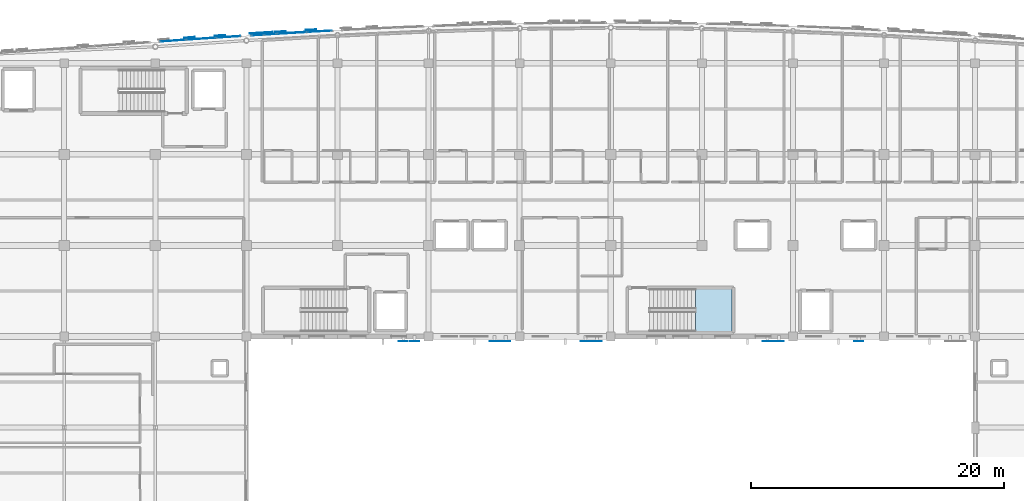
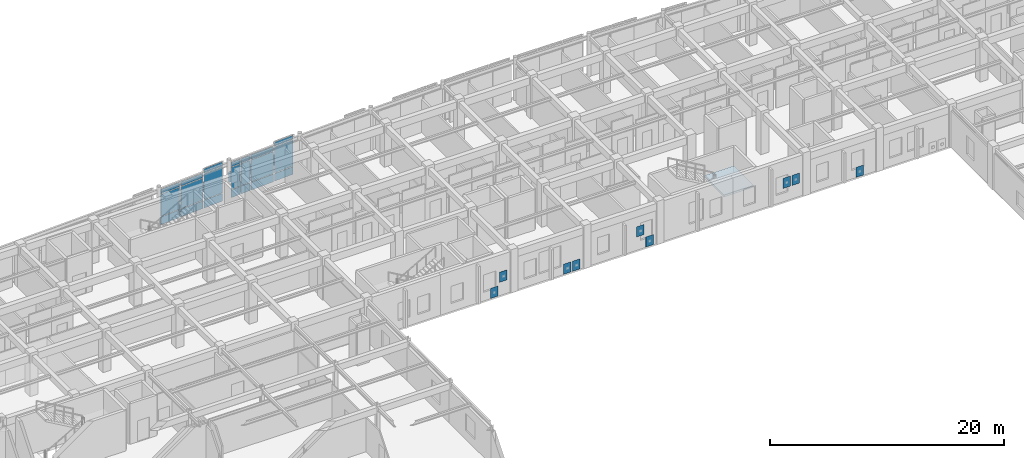
# One storey, part 64 of 106: 36 plates, 1 slab, 7 elements without a shape of their own.
"""IFC4 building model written with IfcOpenShell, lengths in metres."""

from ifc_helpers import new_model, si_unit, direction, frame, origin, origin_2d, place, context, subcontext, project, spatial, polyline, rectangle, outline, extrude, material, layer, layer_set, type_object, element, aggregate, save


model = new_model("IFC4")

# Units and contexts
model_context = context("Model", 3, precision=1e-05, world=origin(), true_north=direction((0.0, 1.0)))
body_context = subcontext(model_context, "Body", "Model", "MODEL_VIEW")
ifc_project = project(units=[si_unit("LENGTHUNIT", "METRE"), si_unit("AREAUNIT", "SQUARE_METRE"), si_unit("VOLUMEUNIT", "CUBIC_METRE"), si_unit("PLANEANGLEUNIT", "RADIAN"), si_unit("MASSUNIT", "GRAM", prefix="KILO")], contexts=[model_context])

# Site, building, storey
site_placement = place(None, origin())
site = spatial("IfcSite", under=ifc_project, at=site_placement, CompositionType="ELEMENT")
building_placement = place(site_placement, origin())
building = spatial("IfcBuilding", under=site, at=building_placement, Name="Carrowvane Square Congress Hotel", CompositionType="ELEMENT")
storey_placement = place(building_placement, frame((0.0, 0.0, 10.5)))
storey = spatial("IfcBuildingStorey", under=building, at=storey_placement, Name="L02", CompositionType="ELEMENT", Elevation=10.5)

# Curtain wall, plates
ifc_material_1 = material(Name="Anodised aluminium", Category="aluminium")
ifc_layer_1 = layer(ifc_material_1, 0.2099609375)
ifc_layer_set_1 = layer_set([ifc_layer_1], Name="Anodised aluminium")
curtain_wall_type_1 = type_object("IfcCurtainWallType", Name="CW-SYS-5", PredefinedType="NOTDEFINED", material=ifc_layer_set_1)
curtain_wall_1_placement = place(storey_placement, origin())
curtain_wall_1 = element("IfcCurtainWall", 1, at=curtain_wall_1_placement, inside=storey, type_object=curtain_wall_type_1, Name="L02 unitised curtain wall 140", PredefinedType="NOTDEFINED")
ifc_material_2 = material(Name="Double-glazed low-E glass", Category="glass")
ifc_layer_2 = layer(ifc_material_2, 0.028076171875)
ifc_layer_set_2 = layer_set([ifc_layer_2], Name="Double-glazed low-E glass")
plate_type_1 = type_object("IfcPlateType", Name="CW-PAN-1", PredefinedType="CURTAIN_PANEL", material=ifc_layer_set_2)
plate_1_placement = place(storey_placement, frame((63.378662109375, 115.182373046875, 0.06005859375), z_axis=(0.0, 0.0, 1.0), x_axis=(0.997566332949, 0.069723822092, 0.0)))
plate_1 = element("IfcPlate", 2, at=plate_1_placement, type_object=plate_type_1, Name="CW-5 panel 1.1", PredefinedType="CURTAIN_PANEL", context=body_context, shape_type="SweptSolid", body=[
    extrude(rectangle(XDim=1.927734375, YDim=0.028076171875, at=origin_2d()), origin(), (0.0, 0.0, 1.0), 0.81005859375),
])
plate_2_placement = place(storey_placement, frame((63.378662109375, 115.182373046875, 0.929931640625), z_axis=(0.0, 0.0, 1.0), x_axis=(0.997566332949, 0.069723822092, 0.0)))
plate_2 = element("IfcPlate", 3, at=plate_2_placement, type_object=plate_type_1, Name="CW-5 panel 1.2", PredefinedType="CURTAIN_PANEL", context=body_context, shape_type="SweptSolid", body=[
    extrude(rectangle(XDim=1.927734375, YDim=0.028076171875, at=origin_2d()), origin(), (0.0, 0.0, 1.0), 2.28564453125),
])
plate_3_placement = place(storey_placement, frame((63.378662109375, 115.182373046875, 3.275634765625), z_axis=(0.0, 0.0, 1.0), x_axis=(0.997566332949, 0.069723822092, 0.0)))
plate_3 = element("IfcPlate", 4, at=plate_3_placement, type_object=plate_type_1, Name="CW-5 panel 1.3", PredefinedType="CURTAIN_PANEL", context=body_context, shape_type="SweptSolid", body=[
    extrude(rectangle(XDim=1.927734375, YDim=0.028076171875, at=origin_2d()), origin(), (0.0, 0.0, 1.0), 0.4599609375),
])
aggregate(curtain_wall_1, [plate_1, plate_2, plate_3])

ifc_material_3 = material(Name="Anodised aluminium", Category="aluminium")
ifc_layer_3 = layer(ifc_material_3, 0.174072265625)
ifc_layer_set_3 = layer_set([ifc_layer_3], Name="Anodised aluminium")
curtain_wall_type_2 = type_object("IfcCurtainWallType", Name="CW-SYS-2", PredefinedType="NOTDEFINED", material=ifc_layer_set_3)
curtain_wall_2_placement = place(storey_placement, origin())
curtain_wall_2 = element("IfcCurtainWall", 5, at=curtain_wall_2_placement, inside=storey, type_object=curtain_wall_type_2, Name="L02 unitised curtain wall 145", PredefinedType="NOTDEFINED")
plate_4_placement = place(storey_placement, frame((74.997802734375, 115.920654296875, 0.070068359375), z_axis=(0.0, 0.0, 1.0), x_axis=(0.998496473856, 0.054815980317, 0.0)))
plate_4 = element("IfcPlate", 6, at=plate_4_placement, type_object=plate_type_1, Name="CW-2 panel 1.1", PredefinedType="CURTAIN_PANEL", context=body_context, shape_type="SweptSolid", body=[
    extrude(rectangle(XDim=1.8583984375, YDim=0.028076171875, at=origin_2d()), origin(), (0.0, 0.0, 1.0), 0.794921875),
])
plate_5_placement = place(storey_placement, frame((74.997802734375, 115.920654296875, 0.93505859375), z_axis=(0.0, 0.0, 1.0), x_axis=(0.998496473856, 0.054815980317, 0.0)))
plate_5 = element("IfcPlate", 7, at=plate_5_placement, type_object=plate_type_1, Name="CW-2 panel 1.2", PredefinedType="CURTAIN_PANEL", context=body_context, shape_type="SweptSolid", body=[
    extrude(rectangle(XDim=1.8583984375, YDim=0.028076171875, at=origin_2d()), origin(), (0.0, 0.0, 1.0), 2.699951171875),
])
plate_6_placement = place(storey_placement, frame((74.997802734375, 115.920654296875, 3.705078125), z_axis=(0.0, 0.0, 1.0), x_axis=(0.998496473856, 0.054815980317, 0.0)))
plate_6 = element("IfcPlate", 8, at=plate_6_placement, type_object=plate_type_1, Name="CW-2 panel 1.3", PredefinedType="CURTAIN_PANEL", context=body_context, shape_type="SweptSolid", body=[
    extrude(rectangle(XDim=1.8583984375, YDim=0.028076171875, at=origin_2d()), origin(), (0.0, 0.0, 1.0), 0.445068359375),
])
aggregate(curtain_wall_2, [plate_4, plate_5, plate_6])

ifc_material_4 = material(Name="Anodised aluminium", Category="aluminium")
ifc_layer_4 = layer(ifc_material_4, 0.221923828125)
ifc_layer_set_4 = layer_set([ifc_layer_4], Name="Anodised aluminium")
curtain_wall_type_3 = type_object("IfcCurtainWallType", Name="CW-SYS-6", PredefinedType="NOTDEFINED", material=ifc_layer_set_4)
curtain_wall_3_placement = place(storey_placement, origin())
curtain_wall_3 = element("IfcCurtainWall", 9, at=curtain_wall_3_placement, inside=storey, type_object=curtain_wall_type_3, Name="L02 unitised curtain wall 141", PredefinedType="NOTDEFINED")
ifc_material_5 = material(Name="Double-glazed low-E glass", Category="glass")
ifc_layer_5 = layer(ifc_material_5, 0.031982421875)
ifc_layer_set_5 = layer_set([ifc_layer_5], Name="Double-glazed low-E glass")
plate_type_2 = type_object("IfcPlateType", Name="CW-PAN-2", PredefinedType="CURTAIN_PANEL", material=ifc_layer_set_5)
plate_7_placement = place(storey_placement, frame((65.599853515625, 115.33544921875, 0.070068359375), z_axis=(0.0, 0.0, 1.0), x_axis=(0.997694484404, 0.067865424104, 0.0)))
plate_7 = element("IfcPlate", 10, at=plate_7_placement, type_object=plate_type_2, Name="CW-6 panel 1.1", PredefinedType="CURTAIN_PANEL", context=body_context, shape_type="SweptSolid", body=[
    extrude(rectangle(XDim=2.265380859375, YDim=0.031982421875, at=origin_2d()), origin(), (0.0, 0.0, 1.0), 0.794921875),
])
plate_8_placement = place(storey_placement, frame((65.599853515625, 115.33544921875, 0.93505859375), z_axis=(0.0, 0.0, 1.0), x_axis=(0.997694484404, 0.067865424104, 0.0)))
plate_8 = element("IfcPlate", 11, at=plate_8_placement, type_object=plate_type_2, Name="CW-6 panel 1.2", PredefinedType="CURTAIN_PANEL", context=body_context, shape_type="SweptSolid", body=[
    extrude(rectangle(XDim=2.265380859375, YDim=0.031982421875, at=origin_2d()), origin(), (0.0, 0.0, 1.0), 2.275634765625),
])
plate_9_placement = place(storey_placement, frame((65.599853515625, 115.33544921875, 3.28076171875), z_axis=(0.0, 0.0, 1.0), x_axis=(0.997694484404, 0.067865424104, 0.0)))
plate_9 = element("IfcPlate", 12, at=plate_9_placement, type_object=plate_type_2, Name="CW-6 panel 1.3", PredefinedType="CURTAIN_PANEL", context=body_context, shape_type="SweptSolid", body=[
    extrude(rectangle(XDim=2.265380859375, YDim=0.031982421875, at=origin_2d()), origin(), (0.0, 0.0, 1.0), 0.445068359375),
])
aggregate(curtain_wall_3, [plate_7, plate_8, plate_9])

ifc_material_6 = material(Name="Anodised aluminium", Category="aluminium")
ifc_layer_6 = layer(ifc_material_6, 0.23388671875)
ifc_layer_set_6 = layer_set([ifc_layer_6], Name="Anodised aluminium")
curtain_wall_type_4 = type_object("IfcCurtainWallType", Name="CW-SYS-7", PredefinedType="NOTDEFINED", material=ifc_layer_set_6)
curtain_wall_4_placement = place(storey_placement, origin())
curtain_wall_4 = element("IfcCurtainWall", 13, at=curtain_wall_4_placement, inside=storey, type_object=curtain_wall_type_4, Name="L02 unitised curtain wall 142", PredefinedType="NOTDEFINED")
ifc_material_7 = material(Name="Double-glazed low-E glass", Category="glass")
ifc_layer_7 = layer(ifc_material_7, 0.035888671875)
ifc_layer_set_7 = layer_set([ifc_layer_7], Name="Double-glazed low-E glass")
plate_type_3 = type_object("IfcPlateType", Name="CW-PAN-3", PredefinedType="CURTAIN_PANEL", material=ifc_layer_set_7)
plate_10_placement = place(storey_placement, frame((67.795654296875, 115.482177734375, 0.06005859375), z_axis=(0.0, 0.0, 1.0), x_axis=(0.997858327155, 0.065412223074, 0.0)))
plate_10 = element("IfcPlate", 14, at=plate_10_placement, type_object=plate_type_3, Name="CW-7 panel 1.1", PredefinedType="CURTAIN_PANEL", context=body_context, shape_type="SweptSolid", body=[
    extrude(rectangle(XDim=1.875732421875, YDim=0.035888671875, at=origin_2d()), origin(), (0.0, 0.0, 1.0), 0.81005859375),
])
plate_11_placement = place(storey_placement, frame((67.795654296875, 115.482177734375, 0.929931640625), z_axis=(0.0, 0.0, 1.0), x_axis=(0.997858327155, 0.065412223074, 0.0)))
plate_11 = element("IfcPlate", 15, at=plate_11_placement, type_object=plate_type_3, Name="CW-7 panel 1.2", PredefinedType="CURTAIN_PANEL", context=body_context, shape_type="SweptSolid", body=[
    extrude(rectangle(XDim=1.875732421875, YDim=0.035888671875, at=origin_2d()), origin(), (0.0, 0.0, 1.0), 2.7099609375),
])
plate_12_placement = place(storey_placement, frame((67.795654296875, 115.482177734375, 3.699951171875), z_axis=(0.0, 0.0, 1.0), x_axis=(0.997858327155, 0.065412223074, 0.0)))
plate_12 = element("IfcPlate", 16, at=plate_12_placement, type_object=plate_type_3, Name="CW-7 panel 1.3", PredefinedType="CURTAIN_PANEL", context=body_context, shape_type="SweptSolid", body=[
    extrude(rectangle(XDim=1.875732421875, YDim=0.035888671875, at=origin_2d()), origin(), (0.0, 0.0, 1.0), 0.4599609375),
])
aggregate(curtain_wall_4, [plate_10, plate_11, plate_12])

ifc_material_8 = material(Name="Anodised aluminium", Category="aluminium")
ifc_layer_8 = layer(ifc_material_8, 0.24609375)
ifc_layer_set_8 = layer_set([ifc_layer_8], Name="Anodised aluminium")
curtain_wall_type_5 = type_object("IfcCurtainWallType", Name="CW-SYS-8", PredefinedType="NOTDEFINED", material=ifc_layer_set_8)
curtain_wall_5_placement = place(storey_placement, origin())
curtain_wall_5 = element("IfcCurtainWall", 17, at=curtain_wall_5_placement, inside=storey, type_object=curtain_wall_type_5, Name="L02 unitised curtain wall 143", PredefinedType="NOTDEFINED")
ifc_material_9 = material(Name="Double-glazed low-E glass", Category="glass")
ifc_layer_9 = layer(ifc_material_9, 0.0419921875)
ifc_layer_set_9 = layer_set([ifc_layer_9], Name="Double-glazed low-E glass")
plate_type_4 = type_object("IfcPlateType", Name="CW-PAN-4", PredefinedType="CURTAIN_PANEL", material=ifc_layer_set_9)
plate_13_placement = place(storey_placement, frame((70.08740234375, 115.6298828125, 0.070068359375), z_axis=(0.0, 0.0, 1.0), x_axis=(0.998051378998, 0.062397474952, 0.0)))
plate_13 = element("IfcPlate", 18, at=plate_13_placement, type_object=plate_type_4, Name="CW-8 panel 1.1", PredefinedType="CURTAIN_PANEL", context=body_context, shape_type="SweptSolid", body=[
    extrude(rectangle(XDim=0.9169921875, YDim=0.0419921875, at=origin_2d()), origin(), (0.0, 0.0, 1.0), 0.794921875),
])
plate_14_placement = place(storey_placement, frame((70.08740234375, 115.6298828125, 0.93505859375), z_axis=(0.0, 0.0, 1.0), x_axis=(0.998051378998, 0.062397474952, 0.0)))
plate_14 = element("IfcPlate", 19, at=plate_14_placement, type_object=plate_type_4, Name="CW-8 panel 1.2", PredefinedType="CURTAIN_PANEL", context=body_context, shape_type="SweptSolid", body=[
    extrude(rectangle(XDim=0.9169921875, YDim=0.0419921875, at=origin_2d()), origin(), (0.0, 0.0, 1.0), 2.275634765625),
])
plate_15_placement = place(storey_placement, frame((70.08740234375, 115.6298828125, 3.28076171875), z_axis=(0.0, 0.0, 1.0), x_axis=(0.998051378998, 0.062397474952, 0.0)))
plate_15 = element("IfcPlate", 20, at=plate_15_placement, type_object=plate_type_4, Name="CW-8 panel 1.3", PredefinedType="CURTAIN_PANEL", context=body_context, shape_type="SweptSolid", body=[
    extrude(rectangle(XDim=0.9169921875, YDim=0.0419921875, at=origin_2d()), origin(), (0.0, 0.0, 1.0), 0.445068359375),
])
plate_16_placement = place(storey_placement, frame((71.072509765625, 115.69140625, 0.070068359375), z_axis=(0.0, 0.0, 1.0), x_axis=(0.998051378998, 0.062397474952, 0.0)))
plate_16 = element("IfcPlate", 21, at=plate_16_placement, type_object=plate_type_4, Name="CW-8 panel 2.1", PredefinedType="CURTAIN_PANEL", context=body_context, shape_type="SweptSolid", body=[
    extrude(rectangle(XDim=0.9169921875, YDim=0.0419921875, at=origin_2d()), origin(), (0.0, 0.0, 1.0), 0.794921875),
])
plate_17_placement = place(storey_placement, frame((71.072509765625, 115.69140625, 0.93505859375), z_axis=(0.0, 0.0, 1.0), x_axis=(0.998051378998, 0.062397474952, 0.0)))
plate_17 = element("IfcPlate", 22, at=plate_17_placement, type_object=plate_type_4, Name="CW-8 panel 2.2", PredefinedType="CURTAIN_PANEL", context=body_context, shape_type="SweptSolid", body=[
    extrude(rectangle(XDim=0.9169921875, YDim=0.0419921875, at=origin_2d()), origin(), (0.0, 0.0, 1.0), 2.275634765625),
])
plate_18_placement = place(storey_placement, frame((71.072509765625, 115.69140625, 3.28076171875), z_axis=(0.0, 0.0, 1.0), x_axis=(0.998051378998, 0.062397474952, 0.0)))
plate_18 = element("IfcPlate", 23, at=plate_18_placement, type_object=plate_type_4, Name="CW-8 panel 2.3", PredefinedType="CURTAIN_PANEL", context=body_context, shape_type="SweptSolid", body=[
    extrude(rectangle(XDim=0.9169921875, YDim=0.0419921875, at=origin_2d()), origin(), (0.0, 0.0, 1.0), 0.445068359375),
])
aggregate(curtain_wall_5, [plate_13, plate_14, plate_15, plate_16, plate_17, plate_18])

ifc_material_10 = material(Name="Anodised aluminium", Category="aluminium")
ifc_layer_10 = layer(ifc_material_10, 0.162109375)
ifc_layer_set_10 = layer_set([ifc_layer_10], Name="Anodised aluminium")
curtain_wall_type_6 = type_object("IfcCurtainWallType", Name="CW-SYS-1", PredefinedType="NOTDEFINED", material=ifc_layer_set_10)
curtain_wall_6_placement = place(storey_placement, origin())
curtain_wall_6 = element("IfcCurtainWall", 24, at=curtain_wall_6_placement, inside=storey, type_object=curtain_wall_type_6, Name="L02 unitised curtain wall 144", PredefinedType="NOTDEFINED")
ifc_material_11 = material(Name="Double-glazed low-E glass", Category="glass")
ifc_layer_11 = layer(ifc_material_11, 0.048095703125)
ifc_layer_set_11 = layer_set([ifc_layer_11], Name="Double-glazed low-E glass")
plate_type_5 = type_object("IfcPlateType", Name="CW-PAN-5", PredefinedType="CURTAIN_PANEL", material=ifc_layer_set_11)
plate_19_placement = place(storey_placement, frame((72.800048828125, 115.795166015625, 0.06005859375), z_axis=(0.0, 0.0, 1.0), x_axis=(0.998266763162, 0.058851249486, 0.0)))
plate_19 = element("IfcPlate", 25, at=plate_19_placement, type_object=plate_type_5, Name="CW-1 panel 1.1", PredefinedType="CURTAIN_PANEL", context=body_context, shape_type="SweptSolid", body=[
    extrude(rectangle(XDim=2.2841796875, YDim=0.048095703125, at=origin_2d()), origin(), (0.0, 0.0, 1.0), 0.81005859375),
])
plate_20_placement = place(storey_placement, frame((72.800048828125, 115.795166015625, 0.929931640625), z_axis=(0.0, 0.0, 1.0), x_axis=(0.998266763162, 0.058851249486, 0.0)))
plate_20 = element("IfcPlate", 26, at=plate_20_placement, type_object=plate_type_5, Name="CW-1 panel 1.2", PredefinedType="CURTAIN_PANEL", context=body_context, shape_type="SweptSolid", body=[
    extrude(rectangle(XDim=2.2841796875, YDim=0.048095703125, at=origin_2d()), origin(), (0.0, 0.0, 1.0), 2.28564453125),
])
plate_21_placement = place(storey_placement, frame((72.800048828125, 115.795166015625, 3.275634765625), z_axis=(0.0, 0.0, 1.0), x_axis=(0.998266763162, 0.058851249486, 0.0)))
plate_21 = element("IfcPlate", 27, at=plate_21_placement, type_object=plate_type_5, Name="CW-1 panel 1.3", PredefinedType="CURTAIN_PANEL", context=body_context, shape_type="SweptSolid", body=[
    extrude(rectangle(XDim=2.2841796875, YDim=0.048095703125, at=origin_2d()), origin(), (0.0, 0.0, 1.0), 0.4599609375),
])
aggregate(curtain_wall_6, [plate_19, plate_20, plate_21])

# Plates
ifc_material_12 = material(Name="Champagne-gold anodised aluminium", Category="aluminium")
ifc_layer_12 = layer(ifc_material_12, 0.011962890625)
ifc_layer_set_12 = layer_set([ifc_layer_12], Name="Champagne-gold anodised aluminium")
plate_type_6 = type_object("IfcPlateType", Name="PLT-PIX-GOLD12", PredefinedType="SHEET", material=ifc_layer_set_12)
for number, where, z_axis, x_axis, name in (
    (28, (64.712890625, 115.44140625, 0.119873046875), (0.0, 0.0, 1.0), (0.9976944394, 0.067866085713, 0.0), "Champagne-gold pixel screen plate 104"),
    (29, (69.873779296875, 115.78271484375, 1.58984375), (0.0, 0.0, 1.0), (0.998051413269, 0.062396926785, 0.0), "Champagne-gold pixel screen plate 106"),
    (30, (70.85888671875, 115.84423828125, 0.119873046875), (0.0, 0.0, 1.0), (0.998051413269, 0.062396926785, 0.0), "Champagne-gold pixel screen plate 107"),
    (31, (74.315185546875, 116.04931640625, 1.58984375), (0.0, 0.0, 1.0), (0.998496552462, 0.054814548441, 0.0), "Champagne-gold pixel screen plate 109"),
):
    element("IfcPlate", number, at=place(storey_placement, frame(where, z_axis=z_axis, x_axis=x_axis)), inside=storey, type_object=plate_type_6, Name=name, PredefinedType="SHEET", context=body_context, shape_type="SweptSolid", body=[
        extrude(rectangle(XDim=0.827880859375, YDim=0.011962890625, at=origin_2d()), origin(), (0.0, 0.0, 1.0), 1.1201171875),
    ])
for number, where, z_axis, x_axis, name in (
    (32, (111.300048828125, 91.43408203125, 1.52490234375), (0.0, 0.0, 1.0), (-1.0, 0.0, 0.0), "Champagne-gold pixel screen plate S-158"),
    (33, (110.39990234375, 91.43408203125, 1.52490234375), (0.0, 0.0, 1.0), (-1.0, 0.0, 0.0), "Champagne-gold pixel screen plate S-159"),
    (34, (96.89990234375, 91.43408203125, 0.15478515625), (0.0, 0.0, 1.0), (-1.0, 0.0, 0.0), "Champagne-gold pixel screen plate S-160"),
    (35, (96.0, 91.43408203125, 1.52490234375), (0.0, 0.0, 1.0), (-1.0, 0.0, 0.0), "Champagne-gold pixel screen plate S-161"),
    (36, (82.5, 91.43408203125, 1.52490234375), (0.0, 0.0, 1.0), (-1.0, 0.0, 0.0), "Champagne-gold pixel screen plate S-164"),
    (37, (81.60009765625, 91.43408203125, 0.15478515625), (0.0, 0.0, 1.0), (-1.0, 0.0, 0.0), "Champagne-gold pixel screen plate S-165"),
):
    element("IfcPlate", number, at=place(storey_placement, frame(where, z_axis=z_axis, x_axis=x_axis)), inside=storey, type_object=plate_type_6, Name=name, PredefinedType="SHEET", context=body_context, shape_type="SweptSolid", body=[
        extrude(rectangle(XDim=0.738037109375, YDim=0.011962890625, at=origin_2d()), origin(), (0.0, 0.0, 1.0), 1.050048828125),
    ])
ifc_material_13 = material(Name="Champagne-gold anodised aluminium", Category="aluminium")
ifc_layer_13 = layer(ifc_material_13, 0.008056640625)
ifc_layer_set_13 = layer_set([ifc_layer_13], Name="Champagne-gold anodised aluminium")
plate_type_7 = type_object("IfcPlateType", Name="PLT-PIX-GOLD8", PredefinedType="SHEET", material=ifc_layer_set_13)
for number, where, z_axis, x_axis, name in (
    (38, (67.1083984375, 115.6015625, 1.58984375), (0.0, 0.0, 1.0), (0.99785825325, 0.065413350476, 0.0), "Champagne-gold pixel screen plate 105"),
    (39, (71.90966796875, 115.906982421875, 1.58984375), (0.0, 0.0, 1.0), (0.998266695506, 0.05885239709, 0.0), "Champagne-gold pixel screen plate 108"),
):
    element("IfcPlate", number, at=place(storey_placement, frame(where, z_axis=z_axis, x_axis=x_axis)), inside=storey, type_object=plate_type_7, Name=name, PredefinedType="SHEET", context=body_context, shape_type="SweptSolid", body=[
        extrude(rectangle(XDim=0.827880859375, YDim=0.008056640625, at=origin_2d()), origin(), (0.0, 0.0, 1.0), 1.1201171875),
    ])
for number, where, z_axis, x_axis, name in (
    (40, (117.60009765625, 91.43603515625, 0.15478515625), (0.0, 0.0, 1.0), (-1.0, 0.0, 0.0), "Champagne-gold pixel screen plate S-157"),
    (41, (89.699951171875, 91.43603515625, 0.15478515625), (0.0, 0.0, 1.0), (-1.0, 0.0, 0.0), "Champagne-gold pixel screen plate S-162"),
    (42, (88.800048828125, 91.43603515625, 0.15478515625), (0.0, 0.0, 1.0), (-1.0, 0.0, 0.0), "Champagne-gold pixel screen plate S-163"),
):
    element("IfcPlate", number, at=place(storey_placement, frame(where, z_axis=z_axis, x_axis=x_axis)), inside=storey, type_object=plate_type_7, Name=name, PredefinedType="SHEET", context=body_context, shape_type="SweptSolid", body=[
        extrude(rectangle(XDim=0.738037109375, YDim=0.008056640625, at=origin_2d()), origin(), (0.0, 0.0, 1.0), 1.050048828125),
    ])

# Stair, slab
ifc_material_14 = material(Name="Concrete C35/45", Category="concrete")
stair_type = type_object("IfcStairType", Name="STR-DOG-01", PredefinedType="HALF_TURN_STAIR", material=ifc_material_14)
stair_placement = place(storey_placement, origin())
stair = element("IfcStair", 43, at=stair_placement, inside=storey, type_object=stair_type, Name="L02 Core C3 East Hotel Escape Stair", PredefinedType="HALF_TURN_STAIR")
ifc_material_15 = material(Name="Concrete C35/45", Category="concrete")
ifc_layer_14 = layer(ifc_material_15, 0.199951171875)
ifc_layer_set_14 = layer_set([ifc_layer_14], Name="Concrete C35/45")
slab_type = type_object("IfcSlabType", Name="SLB-LND-200", PredefinedType="LANDING", material=ifc_layer_set_14)
slab_placement = place(storey_placement, frame((0.0, 0.0, 2.050048828125)))
slab = element("IfcSlab", 44, at=slab_placement, type_object=slab_type, Name="ST3 landing 1", PredefinedType="LANDING", context=body_context, shape_type="SweptSolid", body=[
    extrude(outline(polyline([(104.679931640625, 92.199951171875), (107.60009765625, 92.199951171875), (107.60009765625, 95.56005859375), (104.679931640625, 95.56005859375), (104.679931640625, 92.199951171875)])), origin(), (0.0, 0.0, 1.0), 0.199951171875),
])
aggregate(stair, [slab])

save(model, "model.ifc")
